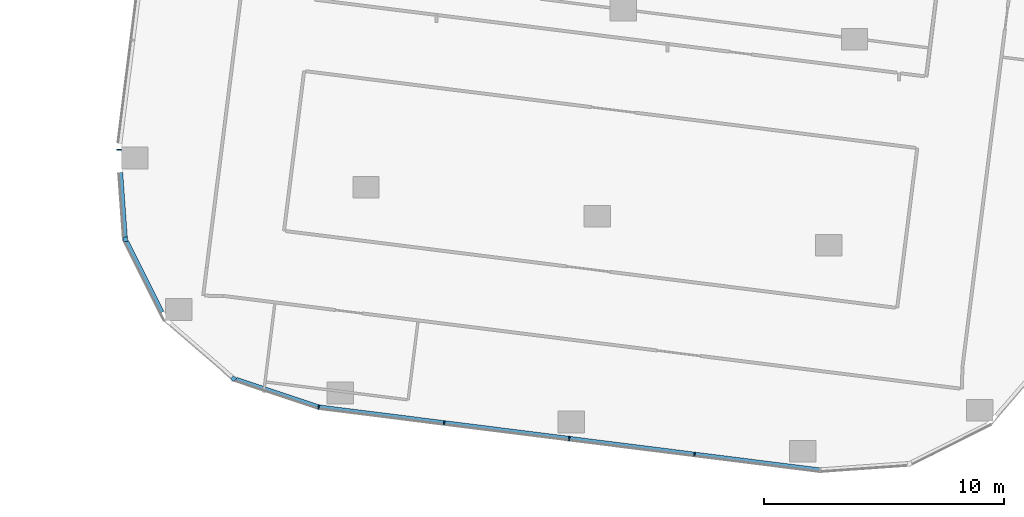
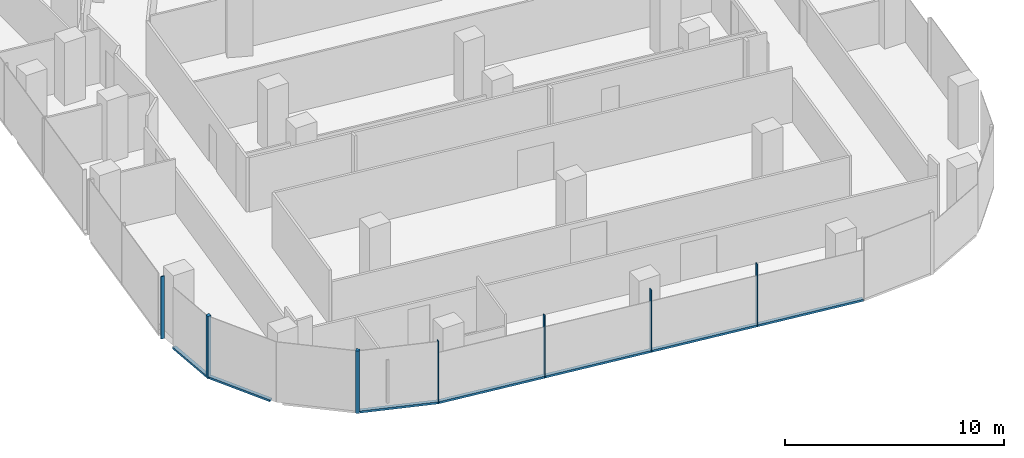
# One storey, part 2 of 27: 11 members, 6 elements without a shape of their own.
"""IFC4 building model written with IfcOpenShell, lengths in metres."""

import ifcopenshell
import ifcopenshell.guid

model = None  # the IFC model being written
_history = None  # IfcOwnerHistory: only IFC2X3 demands one
_inside = {}  # id of a spatial element -> (the spatial element, [elements in it])
_under = {}  # id of a project, library or spatial element -> (it, [spatial elements below it])
_declared = {}  # id of a project -> (the project, [libraries it declares])
_typed = {}  # id of a type object -> (the type object, [elements of that type])
_made_of = {}  # id of a material, layer set ... -> (it, [elements and type objects made of it])


def new_model(schema):
    """Start an empty IFC model of exactly this schema.

    Asked for "IFC4X3", IfcOpenShell would pick the latest addendum, in which some entities
    have other attributes; the version numbers below select the first issue.
    IFC2X3 requires an IfcOwnerHistory on every rooted entity: one is made here for all.
    """
    global model, _history
    if schema == "IFC4X3":
        model = ifcopenshell.file(schema_version=(4, 3, 0, 0))
    else:
        model = ifcopenshell.file(schema=schema)
    _inside.clear()
    _under.clear()
    _declared.clear()
    _typed.clear()
    _made_of.clear()
    _history = None
    if model.schema == "IFC2X3":
        org = make("IfcOrganization", Name="unknown")
        user = make(
            "IfcPersonAndOrganization",
            ThePerson=make("IfcPerson", FamilyName="unknown"),
            TheOrganization=org,
        )
        app = make(
            "IfcApplication",
            ApplicationDeveloper=org,
            Version="unknown",
            ApplicationFullName="unknown",
            ApplicationIdentifier="unknown",
        )
        _history = make(
            "IfcOwnerHistory",
            OwningUser=user,
            OwningApplication=app,
            ChangeAction="ADDED",
            CreationDate=0,
        )
    return model


def make(cls, **values):
    """One entity of the class cls with the attributes given. An attribute that is None is left unset."""
    return model.create_entity(
        cls, **{name: value for name, value in values.items() if value is not None}
    )


def rooted(cls, **values):
    """An entity with a GlobalId (a new one), such as an element, a storey or a relation."""
    return make(cls, GlobalId=ifcopenshell.guid.new(), OwnerHistory=_history, **values)


def si_unit(unit_type, name, prefix=None):
    """IfcSIUnit, for example si_unit("LENGTHUNIT", "METRE", prefix="MILLI")."""
    return make("IfcSIUnit", UnitType=unit_type, Prefix=prefix, Name=name)


def assignment(units):
    """IfcUnitAssignment: the units of a project."""
    return None if units is None else make("IfcUnitAssignment", Units=units)


def point(xyz):
    """IfcCartesianPoint."""
    return None if xyz is None else make("IfcCartesianPoint", Coordinates=xyz)


def direction(xyz):
    """IfcDirection."""
    return None if xyz is None else make("IfcDirection", DirectionRatios=xyz)


def frame(location, z_axis=None, x_axis=None):
    """IfcAxis2Placement3D, a coordinate frame: its origin and axes. An axis left out is left unset."""
    return make(
        "IfcAxis2Placement3D",
        Location=point(location),
        Axis=direction(z_axis),
        RefDirection=direction(x_axis),
    )


def frame_2d(location, x_axis=None):
    """IfcAxis2Placement2D, a coordinate frame in the plane: its origin and x axis."""
    return make(
        "IfcAxis2Placement2D", Location=point(location), RefDirection=direction(x_axis)
    )


def origin():
    """The frame at (0, 0, 0) with its axes left unset."""
    return frame((0.0, 0.0, 0.0))


def origin_2d():
    """The frame at (0, 0) in the plane with its x axis left unset."""
    return frame_2d((0.0, 0.0))


def place(relative_to, where):
    """IfcLocalPlacement: puts the frame where relative to a parent placement (None: the world)."""
    return make(
        "IfcLocalPlacement", PlacementRelTo=relative_to, RelativePlacement=where
    )


def context(
    kind, dimensions, precision=None, world=None, true_north=None, identifier=None
):
    """IfcGeometricRepresentationContext, for example the 3D "Model" context."""
    return make(
        "IfcGeometricRepresentationContext",
        ContextIdentifier=identifier,
        ContextType=kind,
        CoordinateSpaceDimension=dimensions,
        Precision=precision,
        WorldCoordinateSystem=world,
        TrueNorth=true_north,
    )


def subcontext(parent, identifier, kind, view, scale=None):
    """IfcGeometricRepresentationSubContext, for example "Body" below "Model"."""
    return make(
        "IfcGeometricRepresentationSubContext",
        ContextIdentifier=identifier,
        ContextType=kind,
        ParentContext=parent,
        TargetScale=scale,
        TargetView=view,
    )


def project(units=None, contexts=None):
    """IfcProject with its units and contexts."""
    return rooted(
        "IfcProject",
        Name="project",
        RepresentationContexts=contexts,
        UnitsInContext=assignment(units),
    )


def spatial(cls, under=None, at=None, **own):
    """A site, building, storey or space (cls), placed at a placement, below another one or the project."""
    s = rooted(cls, ObjectPlacement=at, **own)
    if under is not None:
        _under.setdefault(under.id(), (under, []))[1].append(s)
    return s


def profile(cls, at=None, kind="AREA", **sizes):
    """A parametric profile (cls). Its sizes go by their IFC names, for example OverallWidth=200.0."""
    return make(cls, ProfileType=kind, Position=at, **sizes)


def rectangle(**sizes):
    """IfcRectangleProfileDef."""
    return profile("IfcRectangleProfileDef", **sizes)


def extrude(swept, where, along, depth):
    """IfcExtrudedAreaSolid: the profile swept, set in the frame where, extruded along a direction by depth."""
    return make(
        "IfcExtrudedAreaSolid",
        SweptArea=swept,
        Position=where,
        ExtrudedDirection=direction(along),
        Depth=depth,
    )


def shape(context_of_items, identifier, shape_type, items):
    """IfcShapeRepresentation: the items that make up one representation, for example the "Body"."""
    return make(
        "IfcShapeRepresentation",
        ContextOfItems=context_of_items,
        RepresentationIdentifier=identifier,
        RepresentationType=shape_type,
        Items=items,
    )


def material(Name=None, Category=None):
    """IfcMaterial."""
    return make("IfcMaterial", Name=Name, Category=Category)


def material_profile(
    of_material, cross_section, Name=None, Category=None, Priority=None
):
    """IfcMaterialProfile: a cross section and its material."""
    return make(
        "IfcMaterialProfile",
        Name=Name,
        Material=of_material,
        Profile=cross_section,
        Priority=Priority,
        Category=Category,
    )


def profile_set(profiles, Name=None, composite=None):
    """IfcMaterialProfileSet."""
    return make(
        "IfcMaterialProfileSet",
        Name=Name,
        MaterialProfiles=profiles,
        CompositeProfile=composite,
    )


def made_of(thing, what):
    """Note that an element or type object is made of a material, layer set ...; save() writes the relation."""
    if what is not None:
        _made_of.setdefault(what.id(), (what, []))[1].append(thing)
    return thing


def type_object(cls, material=None, **own):
    """A type object (cls), such as IfcWallType, which elements share."""
    return made_of(rooted(cls, **own), material)


def element(
    cls,
    number,
    at=None,
    inside=None,
    cuts=None,
    type_object=None,
    material=None,
    context=None,
    identifier="Body",
    shape_type=None,
    held_by="IfcProductDefinitionShape",
    body=None,
    shapes=None,
    **own,
):
    """One element of the class cls, such as IfcWall. Its Tag is "e" and its number.

    at: its placement. inside: the storey or other place that contains it. cuts: it is an
    opening in that element (IfcRelVoidsElement). A single representation is given by context,
    identifier, shape_type and body (its items); several are given by shapes. held_by: the class
    of the entity that holds the representations. save() writes the other relations.
    """
    e = rooted(cls, Tag="e%d" % number, ObjectPlacement=at, **own)
    if body is not None:
        shapes = [shape(context, identifier, shape_type, body)]
    if shapes is not None:
        e.Representation = make(held_by, Representations=shapes)
    if inside is not None:
        _inside.setdefault(inside.id(), (inside, []))[1].append(e)
    if cuts is not None:
        rooted(
            "IfcRelVoidsElement", RelatingBuildingElement=cuts, RelatedOpeningElement=e
        )
    if type_object is not None:
        _typed.setdefault(type_object.id(), (type_object, []))[1].append(e)
    return made_of(e, material)


def aggregate(whole, parts):
    """IfcRelAggregates: a whole, such as a stair, and the parts it consists of."""
    return rooted("IfcRelAggregates", RelatingObject=whole, RelatedObjects=parts)


def save(model, path):
    """Write the relations noted so far, then the file.

    IfcRelAggregates (storeys below a building ...), IfcRelContainedInSpatialStructure (elements
    in a storey), IfcRelDefinesByType, IfcRelAssociatesMaterial and IfcRelDeclares: one each for
    every whole, place, type object, material and project.
    """
    for whole, parts in _under.values():
        aggregate(whole, parts)
    for where, things in _inside.values():
        rooted(
            "IfcRelContainedInSpatialStructure",
            RelatedElements=things,
            RelatingStructure=where,
        )
    for kind, things in _typed.values():
        rooted("IfcRelDefinesByType", RelatedObjects=things, RelatingType=kind)
    for what, things in _made_of.values():
        rooted("IfcRelAssociatesMaterial", RelatedObjects=things, RelatingMaterial=what)
    for by, libraries in _declared.values():
        rooted("IfcRelDeclares", RelatingContext=by, RelatedDefinitions=libraries)
    model.write(path)


model = new_model("IFC4")

# Units and contexts
model_context = context("Model", 3, precision=1e-05, world=origin(), true_north=direction((0.0, 1.0)))
body_context = subcontext(model_context, "Body", "Model", "MODEL_VIEW")
ifc_project = project(units=[si_unit("LENGTHUNIT", "METRE"), si_unit("AREAUNIT", "SQUARE_METRE"), si_unit("VOLUMEUNIT", "CUBIC_METRE"), si_unit("PLANEANGLEUNIT", "RADIAN"), si_unit("MASSUNIT", "GRAM", prefix="KILO")], contexts=[model_context])

# Site, building, storey
site_placement = place(None, origin())
site = spatial("IfcSite", under=ifc_project, at=site_placement, CompositionType="ELEMENT")
building_placement = place(site_placement, origin())
building = spatial("IfcBuilding", under=site, at=building_placement, Name="Orlundy Tower", CompositionType="ELEMENT")
storey_placement = place(building_placement, frame((0.0, 0.0, 202.60009765625)))
storey = spatial("IfcBuildingStorey", under=building, at=storey_placement, Name="L53", CompositionType="ELEMENT", Elevation=202.60009765625)

# Curtain wall, member
ifc_material_1 = material(Name="Aluminium bronze anodised", Category="aluminium")
curtain_wall_type = type_object("IfcCurtainWallType", Name="CW1 wall", PredefinedType="NOTDEFINED", material=ifc_material_1)
curtain_wall_1_placement = place(storey_placement, origin())
curtain_wall_1 = element("IfcCurtainWall", 1, at=curtain_wall_1_placement, inside=storey, type_object=curtain_wall_type, Name="CW1 run 025", PredefinedType="NOTDEFINED")
ifc_material_2 = material(Name="Aluminium bronze anodised", Category="aluminium")
ifc_material_profile_1 = material_profile(ifc_material_2, rectangle(XDim=0.179931640625, YDim=0.179931640625, at=origin_2d()), Name="CW1 corner post 180x180")
ifc_profile_set_1 = profile_set([ifc_material_profile_1], Name="Aluminium bronze anodised")
member_type_1 = type_object("IfcMemberType", Name="CW1 corner post 180x180", PredefinedType="MULLION", material=ifc_profile_set_1)
member_1_placement = place(storey_placement, frame((-21.4033203125, -56.6337890625, -0.420166015625), z_axis=(0.0, 0.0, 1.0), x_axis=(-0.655002428568, -0.755626772005, 0.0)))
member_1 = element("IfcMember", 2, at=member_1_placement, type_object=member_type_1, Name="CW1 mullion 58", PredefinedType="MULLION", context=body_context, shape_type="SweptSolid", body=[
    extrude(rectangle(XDim=0.179931640625, YDim=0.179931640625, at=origin_2d()), origin(), (0.0, 0.0, 1.0), 3.469970703125),
])
aggregate(curtain_wall_1, [member_1])

curtain_wall_2_placement = place(storey_placement, origin())
curtain_wall_2 = element("IfcCurtainWall", 3, at=curtain_wall_2_placement, inside=storey, type_object=curtain_wall_type, Name="CW1 run 027", PredefinedType="NOTDEFINED")
member_2_placement = place(storey_placement, frame((-25.906494140625, -50.836181640625, -0.420166015625), z_axis=(0.0, 0.0, 1.0), x_axis=(-0.997461437469, -0.071208712685, 0.0)))
member_2 = element("IfcMember", 4, at=member_2_placement, type_object=member_type_1, Name="CW1 mullion 60", PredefinedType="MULLION", context=body_context, shape_type="SweptSolid", body=[
    extrude(rectangle(XDim=0.179931640625, YDim=0.179931640625, at=origin_2d()), origin(), (0.0, 0.0, 1.0), 3.469970703125),
])

curtain_wall_3_placement = place(storey_placement, origin())
curtain_wall_3 = element("IfcCurtainWall", 5, at=curtain_wall_3_placement, inside=storey, type_object=curtain_wall_type, Name="CW1 run 00", PredefinedType="NOTDEFINED")
ifc_material_3 = material(Name="Aluminium bronze anodised", Category="aluminium")
ifc_material_profile_2 = material_profile(ifc_material_3, rectangle(XDim=0.179931640625, YDim=0.050048828125, at=origin_2d()), Name="CW1 mullion 50x180")
ifc_profile_set_2 = profile_set([ifc_material_profile_2], Name="Aluminium bronze anodised")
member_type_2 = type_object("IfcMemberType", Name="CW1 mullion 50x180", PredefinedType="MULLION", material=ifc_profile_set_2)
member_3_placement = place(storey_placement, frame((-26.17236328125, -47.111572265625, -0.420166015625), z_axis=(0.0, 0.0, 1.0), x_axis=(-0.999637943834, 0.026906899623, 0.0)))
member_3 = element("IfcMember", 6, at=member_3_placement, type_object=member_type_2, Name="CW1 mullion 1", PredefinedType="MULLION", context=body_context, shape_type="SweptSolid", body=[
    extrude(rectangle(XDim=0.179931640625, YDim=0.050048828125, at=origin_2d()), origin(), (0.0, 0.0, 1.0), 3.469970703125),
])
aggregate(curtain_wall_3, [member_3])

# Curtain wall, members
curtain_wall_4_placement = place(storey_placement, origin())
curtain_wall_4 = element("IfcCurtainWall", 7, at=curtain_wall_4_placement, inside=storey, type_object=curtain_wall_type, Name="CW1 run 023", PredefinedType="NOTDEFINED")
member_4_placement = place(storey_placement, frame((-2.225341796875, -59.779296875, -0.420166015625), z_axis=(0.0, 0.0, 1.0), x_axis=(-0.12476143853, -0.992186768434, 0.0)))
member_4 = element("IfcMember", 8, at=member_4_placement, type_object=member_type_2, Name="CW1 mullion 54", PredefinedType="MULLION", context=body_context, shape_type="SweptSolid", body=[
    extrude(rectangle(XDim=0.179931640625, YDim=0.050048828125, at=origin_2d()), origin(), (0.0, 0.0, 1.0), 3.469970703125),
])
member_5_placement = place(storey_placement, frame((-7.434326171875, -59.124267578125, -0.420166015625), z_axis=(0.0, 0.0, 1.0), x_axis=(-0.12476143853, -0.992186768434, 0.0)))
member_5 = element("IfcMember", 9, at=member_5_placement, type_object=member_type_2, Name="CW1 mullion 55", PredefinedType="MULLION", context=body_context, shape_type="SweptSolid", body=[
    extrude(rectangle(XDim=0.179931640625, YDim=0.050048828125, at=origin_2d()), origin(), (0.0, 0.0, 1.0), 3.469970703125),
])
member_6_placement = place(storey_placement, frame((-12.643310546875, -58.46923828125, -0.420166015625), z_axis=(0.0, 0.0, 1.0), x_axis=(-0.12476143853, -0.992186768434, 0.0)))
member_6 = element("IfcMember", 10, at=member_6_placement, type_object=member_type_2, Name="CW1 mullion 56", PredefinedType="MULLION", context=body_context, shape_type="SweptSolid", body=[
    extrude(rectangle(XDim=0.179931640625, YDim=0.050048828125, at=origin_2d()), origin(), (0.0, 0.0, 1.0), 3.469970703125),
])

# Curtain wall, member
curtain_wall_5_placement = place(storey_placement, origin())
curtain_wall_5 = element("IfcCurtainWall", 11, at=curtain_wall_5_placement, inside=storey, type_object=curtain_wall_type, Name="CW1 run 024", PredefinedType="NOTDEFINED")
member_7_placement = place(storey_placement, frame((-17.861083984375, -57.813232421875, -0.420166015625), z_axis=(0.0, 0.0, 1.0), x_axis=(-0.221398524176, -0.975183415309, 0.0)))
member_7 = element("IfcMember", 12, at=member_7_placement, type_object=member_type_2, Name="CW1 mullion 57", PredefinedType="MULLION", context=body_context, shape_type="SweptSolid", body=[
    extrude(rectangle(XDim=0.179931640625, YDim=0.050048828125, at=origin_2d()), origin(), (0.0, 0.0, 1.0), 3.469970703125),
])

# Member
ifc_material_4 = material(Name="Aluminium bronze anodised", Category="aluminium")
ifc_material_profile_3 = material_profile(ifc_material_4, rectangle(XDim=0.179931640625, YDim=0.1201171875, at=origin_2d()), Name="CW1 transom 180x120")
ifc_profile_set_3 = profile_set([ifc_material_profile_3], Name="Aluminium bronze anodised")
member_type_3 = type_object("IfcMemberType", Name="CW1 transom 180x120", PredefinedType="USERDEFINED", material=ifc_profile_set_3)
member_8_placement = place(storey_placement, frame((2.967529296875, -60.432373046875, -0.360107421875), z_axis=(-0.992186609329, 0.124762703832, 0.0), x_axis=(-0.124762703832, -0.992186609329, 0.0)))
member_8 = element("IfcMember", 13, at=member_8_placement, type_object=member_type_3, Name="CW1 transom", ObjectType="TRANSOM", PredefinedType="USERDEFINED", context=body_context, shape_type="SweptSolid", body=[
    extrude(rectangle(XDim=0.179931640625, YDim=0.1201171875, at=origin_2d()), origin(), (0.0, 0.0, 1.0), 20.967529296875),
])

aggregate(curtain_wall_4, [member_4, member_5, member_6, member_8])

member_9_placement = place(storey_placement, frame((-17.884765625, -57.80517578125, -0.360107421875), z_axis=(-0.948804921466, 0.315862661614, 0.0), x_axis=(-0.315862661614, -0.948804921466, 0.0)))
member_9 = element("IfcMember", 14, at=member_9_placement, type_object=member_type_3, Name="CW1 transom", ObjectType="TRANSOM", PredefinedType="USERDEFINED", context=body_context, shape_type="SweptSolid", body=[
    extrude(rectangle(XDim=0.179931640625, YDim=0.1201171875, at=origin_2d()), origin(), (0.0, 0.0, 1.0), 3.611083984375),
])

aggregate(curtain_wall_5, [member_7, member_9])

# Curtain wall, member
curtain_wall_6_placement = place(storey_placement, origin())
curtain_wall_6 = element("IfcCurtainWall", 15, at=curtain_wall_6_placement, inside=storey, type_object=curtain_wall_type, Name="CW1 run 026", PredefinedType="NOTDEFINED")
member_10_placement = place(storey_placement, frame((-24.385009765625, -53.87548828125, -0.360107421875), z_axis=(-0.447627675266, 0.894220031276, 0.0), x_axis=(-0.894220031276, -0.447627675266, 0.0)))
member_10 = element("IfcMember", 16, at=member_10_placement, type_object=member_type_3, Name="CW1 transom", ObjectType="TRANSOM", PredefinedType="USERDEFINED", context=body_context, shape_type="SweptSolid", body=[
    extrude(rectangle(XDim=0.179931640625, YDim=0.1201171875, at=origin_2d()), origin(), (0.0, 0.0, 1.0), 3.30126953125),
])
aggregate(curtain_wall_6, [member_10])

# Member
member_11_placement = place(storey_placement, frame((-25.912841796875, -50.74658203125, -0.360107421875), z_axis=(-0.071266331494, 0.997457322393, 0.0), x_axis=(-0.997457322393, -0.071266331494, 0.0)))
member_11 = element("IfcMember", 17, at=member_11_placement, type_object=member_type_3, Name="CW1 transom", ObjectType="TRANSOM", PredefinedType="USERDEFINED", context=body_context, shape_type="SweptSolid", body=[
    extrude(rectangle(XDim=0.179931640625, YDim=0.1201171875, at=origin_2d()), origin(), (0.0, 0.0, 1.0), 2.699462890625),
])

aggregate(curtain_wall_2, [member_2, member_11])

save(model, "model.ifc")
